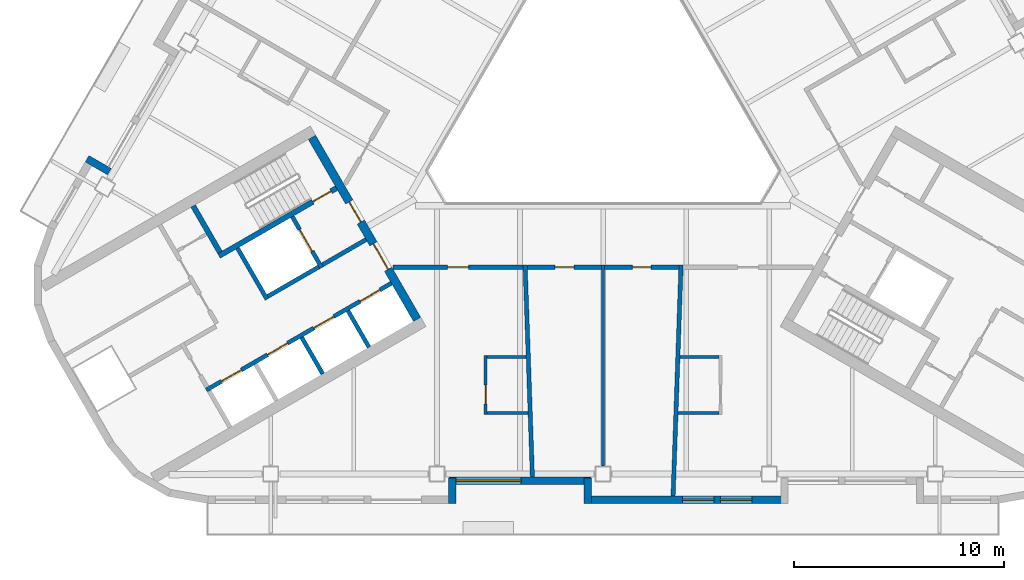
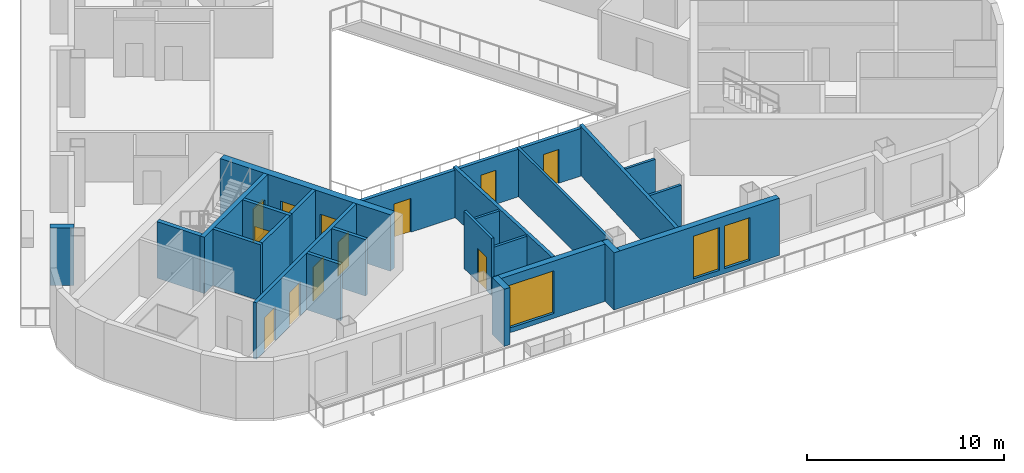
# One storey, part 3 of 13: 26 walls, 12 doors, 3 windows, 15 openings.
"""IFC4 building model written with IfcOpenShell, lengths in metres."""

from ifc_helpers import new_model, si_unit, direction, frame, frame_2d, origin, place, context, subcontext, project, spatial, rectangle, extrude, material, layer, layer_set, type_object, element, fill, save


model = new_model("IFC4")

# Units and contexts
model_context = context("Model", 3, precision=1e-05, world=origin(), true_north=direction((0.0, 1.0)))
body_context = subcontext(model_context, "Body", "Model", "MODEL_VIEW")
ifc_project = project(units=[si_unit("LENGTHUNIT", "METRE"), si_unit("AREAUNIT", "SQUARE_METRE"), si_unit("VOLUMEUNIT", "CUBIC_METRE"), si_unit("PLANEANGLEUNIT", "RADIAN"), si_unit("MASSUNIT", "GRAM", prefix="KILO")], contexts=[model_context])

# Site, building, storey
site_placement = place(None, origin())
site = spatial("IfcSite", under=ifc_project, at=site_placement, CompositionType="ELEMENT")
building_placement = place(site_placement, origin())
building = spatial("IfcBuilding", under=site, at=building_placement, Name="Apuvela Tower Hotel", CompositionType="ELEMENT")
storey_placement = place(building_placement, frame((0.0, 0.0, 187.300048828125)))
storey = spatial("IfcBuildingStorey", under=building, at=storey_placement, Name="L45", CompositionType="ELEMENT", Elevation=187.300048828125)

# Wall, openings, doors
ifc_material_1 = material(Name="Concrete C50/60", Category="concrete")
ifc_layer_1 = layer(ifc_material_1, 0.39990234375)
ifc_layer_set_1 = layer_set([ifc_layer_1], Name="COR-WALL-CORE-400")
wall_type_1 = type_object("IfcWallType", Name="COR-WALL-CORE-400", PredefinedType="SHEAR", material=ifc_layer_set_1)
wall_1_placement = place(storey_placement, frame((-13.844970703125, -2.219970703125, 0.0), z_axis=(0.0, 0.0, 1.0), x_axis=(0.500004234368, -0.866022959057, 0.0)))
wall_1 = element("IfcWall", 1, at=wall_1_placement, inside=storey, type_object=wall_type_1, Name="Core wall SW", PredefinedType="SHEAR", context=body_context, shape_type="SweptSolid", body=[
    extrude(rectangle(XDim=10.0, YDim=0.39990234375, at=frame_2d((5.0, 0.0))), origin(), (0.0, 0.0, 1.0), 3.5),
])
opening_1_placement = place(wall_1_placement, frame((3.550048828125, 0.0, 0.0)))
opening_1 = element("IfcOpeningElement", 2, at=opening_1_placement, cuts=wall_1, Name="Opening W-FD", PredefinedType="OPENING", context=body_context, shape_type="SweptSolid", body=[
    extrude(rectangle(XDim=1.10009765625, YDim=2.10009765625, at=frame_2d((0.550048828125, 1.050048828125))), frame((0.0, 0.2099609375, 0.0), z_axis=(0.0, -1.0, 0.0), x_axis=(1.0, 0.0, 0.0)), (0.0, 0.0, 1.0), 0.419921875),
])
opening_2_placement = place(wall_1_placement, frame((5.85009765625, 0.0, 0.0)))
opening_2 = element("IfcOpeningElement", 3, at=opening_2_placement, cuts=wall_1, Name="Opening W-GD", PredefinedType="OPENING", context=body_context, shape_type="SweptSolid", body=[
    extrude(rectangle(XDim=1.39990234375, YDim=2.10009765625, at=frame_2d((0.699951171875, 1.050048828125))), frame((0.0, 0.2099609375, 0.0), z_axis=(0.0, -1.0, 0.0), x_axis=(1.0, 0.0, 0.0)), (0.0, 0.0, 1.0), 0.419921875),
])
ifc_material_2 = material(Name="Steel fire door, powder coated", Category="steel")
door_type_1 = type_object("IfcDoorType", Name="COR-FD-1100", OperationType="NOTDEFINED", PredefinedType="DOOR", material=ifc_material_2)
door_1_placement = place(opening_1_placement, frame((1.10009765625, 0.0, 0.0), z_axis=(0.0, 0.0, 1.0), x_axis=(-1.0, 0.0, 0.0)))
door_1 = element("IfcDoor", 4, at=door_1_placement, inside=storey, type_object=door_type_1, Name="Firefighting lobby door W-FD", OperationType="SINGLE_SWING_LEFT", OverallHeight=2.10009765625, OverallWidth=1.10009765625, PredefinedType="DOOR", context=body_context, shape_type="SweptSolid", body=[
    extrude(rectangle(XDim=1.10009765625, YDim=2.10009765625, at=frame_2d((0.550048828125, 1.050048828125))), frame((0.0, 0.02490234375, 0.0), z_axis=(0.0, -1.0, 0.0), x_axis=(1.0, 0.0, 0.0)), (0.0, 0.0, 1.0), 0.050048828125),
])
fill(opening_1, door_1)
ifc_material_3 = material(Name="Glazed steel fire door", Category="steel")
door_type_2 = type_object("IfcDoorType", Name="COR-GD-1400", OperationType="DOUBLE_DOOR_SINGLE_SWING", PredefinedType="DOOR", material=ifc_material_3)
door_2_placement = place(opening_2_placement, frame((1.39990234375, 0.0, 0.0), z_axis=(0.0, 0.0, 1.0), x_axis=(-1.0, 0.0, 0.0)))
door_2 = element("IfcDoor", 5, at=door_2_placement, inside=storey, type_object=door_type_2, Name="Lift lobby door W-GD", OperationType="DOUBLE_DOOR_SINGLE_SWING", OverallHeight=2.10009765625, OverallWidth=1.39990234375, PredefinedType="DOOR", context=body_context, shape_type="SweptSolid", body=[
    extrude(rectangle(XDim=1.39990234375, YDim=2.10009765625, at=frame_2d((0.699951171875, 1.050048828125))), frame((0.0, 0.02490234375, 0.0), z_axis=(0.0, -1.0, 0.0), x_axis=(1.0, 0.0, 0.0)), (0.0, 0.0, 1.0), 0.050048828125),
])
fill(opening_2, door_2)

# Wall
ifc_layer_2 = layer(ifc_material_1, 0.199951171875)
ifc_layer_set_2 = layer_set([ifc_layer_2], Name="COR-WALL-SHAFT-200")
wall_type_2 = type_object("IfcWallType", Name="COR-WALL-SHAFT-200", PredefinedType="SHEAR", material=ifc_layer_set_2)
wall_2_placement = place(storey_placement, frame((-17.38134765625, -7.49462890625, 0.0), z_axis=(0.0, 0.0, 1.0), x_axis=(0.500011755427, -0.866018616679, 0.0)))
element("IfcWall", 6, at=wall_2_placement, inside=storey, type_object=wall_type_2, Name="Shaft wall SW", PredefinedType="SHEAR", context=body_context, shape_type="SweptSolid", body=[
    extrude(rectangle(XDim=2.80029296875, YDim=0.199951171875, at=frame_2d((1.400146484375, 0.0))), origin(), (0.0, 0.0, 1.0), 3.5),
])

# Wall, opening, door
wall_3_placement = place(storey_placement, frame((-14.783203125, -5.99462890625, 0.0), z_axis=(0.0, 0.0, 1.0), x_axis=(0.49994636267, -0.866056369097, 0.0)))
wall_3 = element("IfcWall", 7, at=wall_3_placement, inside=storey, type_object=wall_type_2, Name="Shaft wall SW", PredefinedType="SHEAR", context=body_context, shape_type="SweptSolid", body=[
    extrude(rectangle(XDim=2.800048828125, YDim=0.199951171875, at=frame_2d((1.39990234375, 0.0))), origin(), (0.0, 0.0, 1.0), 3.5),
])
opening_3_placement = place(wall_3_placement, frame((0.699951171875, 0.0, 0.0)))
opening_3 = element("IfcOpeningElement", 8, at=opening_3_placement, cuts=wall_3, Name="Opening W-LD-FS2", PredefinedType="OPENING", context=body_context, shape_type="SweptSolid", body=[
    extrude(rectangle(XDim=1.199951171875, YDim=2.10009765625, at=frame_2d((0.60009765625, 1.050048828125))), frame((0.0, 0.10986328125, 0.0), z_axis=(0.0, -1.0, 0.0), x_axis=(1.0, 0.0, 0.0)), (0.0, 0.0, 1.0), 0.219970703125),
])
ifc_material_4 = material(Name="Stainless steel lift landing door", Category="steel")
door_type_3 = type_object("IfcDoorType", Name="COR-LD-1200", OperationType="DOUBLE_DOOR_SLIDING", PredefinedType="DOOR", material=ifc_material_4)
door_3_placement = place(opening_3_placement, origin())
door_3 = element("IfcDoor", 9, at=door_3_placement, inside=storey, type_object=door_type_3, Name="Lift landing door W-LD-FS2", OperationType="DOUBLE_DOOR_SLIDING", OverallHeight=2.10009765625, OverallWidth=1.199951171875, PredefinedType="DOOR", context=body_context, shape_type="SweptSolid", body=[
    extrude(rectangle(XDim=1.199951171875, YDim=2.10009765625, at=frame_2d((0.60009765625, 1.050048828125))), frame((0.0, 0.02490234375, 0.0), z_axis=(0.0, -1.0, 0.0), x_axis=(1.0, 0.0, 0.0)), (0.0, 0.0, 1.0), 0.050048828125),
])
fill(opening_3, door_3)

# Walls
wall_4_placement = place(storey_placement, frame((-13.519775390625, -8.383056640625, 0.0), z_axis=(0.0, 0.0, 1.0), x_axis=(-0.866034573852, -0.49998411664, 0.0)))
element("IfcWall", 10, at=wall_4_placement, inside=storey, type_object=wall_type_2, Name="Shaft wall SW", PredefinedType="SHEAR", context=body_context, shape_type="SweptSolid", body=[
    extrude(rectangle(XDim=2.7998046875, YDim=0.199951171875, at=frame_2d((1.39990234375, 0.0))), origin(), (0.0, 0.0, 1.0), 3.5),
])
wall_5_placement = place(storey_placement, frame((-11.26806640625, -7.0830078125, 0.0), z_axis=(0.0, 0.0, 1.0), x_axis=(-0.866050077142, -0.499957262057, 0.0)))
element("IfcWall", 11, at=wall_5_placement, inside=storey, type_object=wall_type_2, Name="Shaft wall SW", PredefinedType="SHEAR", context=body_context, shape_type="SweptSolid", body=[
    extrude(rectangle(XDim=2.400146484375, YDim=0.199951171875, at=frame_2d((1.2001953125, 0.0))), origin(), (0.0, 0.0, 1.0), 3.5),
])

# Wall, openings, doors
wall_6_placement = place(storey_placement, frame((-10.068115234375, -9.16162109375, 0.0), z_axis=(0.0, 0.0, 1.0), x_axis=(-0.866032725843, -0.499987317609, 0.0)))
wall_6 = element("IfcWall", 12, at=wall_6_placement, inside=storey, type_object=wall_type_2, Name="Shaft wall SW", PredefinedType="SHEAR", context=body_context, shape_type="SweptSolid", body=[
    extrude(rectangle(XDim=10.159912109375, YDim=0.199951171875, at=frame_2d((5.080078125, 0.0))), origin(), (0.0, 0.0, 1.0), 3.5),
])
opening_4_placement = place(wall_6_placement, frame((0.6201171875, 0.0, 0.0)))
opening_4 = element("IfcOpeningElement", 13, at=opening_4_placement, cuts=wall_6, Name="Opening W-LD-MR1", PredefinedType="OPENING", context=body_context, shape_type="SweptSolid", body=[
    extrude(rectangle(XDim=1.10009765625, YDim=2.10009765625, at=frame_2d((0.550048828125, 1.050048828125))), frame((0.0, 0.10986328125, 0.0), z_axis=(0.0, -1.0, 0.0), x_axis=(1.0, 0.0, 0.0)), (0.0, 0.0, 1.0), 0.219970703125),
])
opening_5_placement = place(wall_6_placement, frame((3.159912109375, 0.0, 0.0)))
opening_5 = element("IfcOpeningElement", 14, at=opening_5_placement, cuts=wall_6, Name="Opening W-LD-MR2", PredefinedType="OPENING", context=body_context, shape_type="SweptSolid", body=[
    extrude(rectangle(XDim=1.10009765625, YDim=2.10009765625, at=frame_2d((0.550048828125, 1.050048828125))), frame((0.0, 0.10986328125, 0.0), z_axis=(0.0, -1.0, 0.0), x_axis=(1.0, 0.0, 0.0)), (0.0, 0.0, 1.0), 0.219970703125),
])
opening_6_placement = place(wall_6_placement, frame((5.699951171875, 0.0, 0.0)))
opening_6 = element("IfcOpeningElement", 15, at=opening_6_placement, cuts=wall_6, Name="Opening W-LD-MR3", PredefinedType="OPENING", context=body_context, shape_type="SweptSolid", body=[
    extrude(rectangle(XDim=1.10009765625, YDim=2.10009765625, at=frame_2d((0.550048828125, 1.050048828125))), frame((0.0, 0.10986328125, 0.0), z_axis=(0.0, -1.0, 0.0), x_axis=(1.0, 0.0, 0.0)), (0.0, 0.0, 1.0), 0.219970703125),
])
opening_7_placement = place(wall_6_placement, frame((8.239990234375, 0.0, 0.0)))
opening_7 = element("IfcOpeningElement", 16, at=opening_7_placement, cuts=wall_6, Name="Opening W-LD-MR4", PredefinedType="OPENING", context=body_context, shape_type="SweptSolid", body=[
    extrude(rectangle(XDim=1.10009765625, YDim=2.10009765625, at=frame_2d((0.550048828125, 1.050048828125))), frame((0.0, 0.10986328125, 0.0), z_axis=(0.0, -1.0, 0.0), x_axis=(1.0, 0.0, 0.0)), (0.0, 0.0, 1.0), 0.219970703125),
])
door_type_4 = type_object("IfcDoorType", Name="COR-LD-1100", OperationType="DOUBLE_DOOR_SLIDING", PredefinedType="DOOR", material=ifc_material_4)
door_4_placement = place(opening_4_placement, origin())
door_4 = element("IfcDoor", 17, at=door_4_placement, inside=storey, type_object=door_type_4, Name="Lift landing door W-LD-MR1", OperationType="DOUBLE_DOOR_SLIDING", OverallHeight=2.10009765625, OverallWidth=1.10009765625, PredefinedType="DOOR", context=body_context, shape_type="SweptSolid", body=[
    extrude(rectangle(XDim=1.10009765625, YDim=2.10009765625, at=frame_2d((0.550048828125, 1.050048828125))), frame((0.0, 0.02490234375, 0.0), z_axis=(0.0, -1.0, 0.0), x_axis=(1.0, 0.0, 0.0)), (0.0, 0.0, 1.0), 0.050048828125),
])
fill(opening_4, door_4)
door_5_placement = place(opening_5_placement, origin())
door_5 = element("IfcDoor", 18, at=door_5_placement, inside=storey, type_object=door_type_4, Name="Lift landing door W-LD-MR2", OperationType="DOUBLE_DOOR_SLIDING", OverallHeight=2.10009765625, OverallWidth=1.10009765625, PredefinedType="DOOR", context=body_context, shape_type="SweptSolid", body=[
    extrude(rectangle(XDim=1.10009765625, YDim=2.10009765625, at=frame_2d((0.550048828125, 1.050048828125))), frame((0.0, 0.02490234375, 0.0), z_axis=(0.0, -1.0, 0.0), x_axis=(1.0, 0.0, 0.0)), (0.0, 0.0, 1.0), 0.050048828125),
])
fill(opening_5, door_5)
door_6_placement = place(opening_6_placement, origin())
door_6 = element("IfcDoor", 19, at=door_6_placement, inside=storey, type_object=door_type_4, Name="Lift landing door W-LD-MR3", OperationType="DOUBLE_DOOR_SLIDING", OverallHeight=2.10009765625, OverallWidth=1.10009765625, PredefinedType="DOOR", context=body_context, shape_type="SweptSolid", body=[
    extrude(rectangle(XDim=1.10009765625, YDim=2.10009765625, at=frame_2d((0.550048828125, 1.050048828125))), frame((0.0, 0.02490234375, 0.0), z_axis=(0.0, -1.0, 0.0), x_axis=(1.0, 0.0, 0.0)), (0.0, 0.0, 1.0), 0.050048828125),
])
fill(opening_6, door_6)
door_7_placement = place(opening_7_placement, origin())
door_7 = element("IfcDoor", 20, at=door_7_placement, inside=storey, type_object=door_type_4, Name="Lift landing door W-LD-MR4", OperationType="DOUBLE_DOOR_SLIDING", OverallHeight=2.10009765625, OverallWidth=1.10009765625, PredefinedType="DOOR", context=body_context, shape_type="SweptSolid", body=[
    extrude(rectangle(XDim=1.10009765625, YDim=2.10009765625, at=frame_2d((0.550048828125, 1.050048828125))), frame((0.0, 0.02490234375, 0.0), z_axis=(0.0, -1.0, 0.0), x_axis=(1.0, 0.0, 0.0)), (0.0, 0.0, 1.0), 0.050048828125),
])
fill(opening_7, door_7)

# Walls
for number, where, z_axis, x_axis, name in (
    (21, (-12.131103515625, -10.468017578125, 0.0), (0.0, 0.0, 1.0), (0.499972520799, -0.866041268327, 0.0), "Shaft wall SW"),
    (22, (-14.330810546875, -11.738037109375, 0.0), (0.0, 0.0, 1.0), (0.499972520799, -0.866041268327, 0.0), "Shaft wall SW"),
):
    element("IfcWall", number, at=place(storey_placement, frame(where, z_axis=z_axis, x_axis=x_axis)), inside=storey, type_object=wall_type_2, Name=name, PredefinedType="SHEAR", context=body_context, shape_type="SweptSolid", body=[
        extrude(rectangle(XDim=2.0, YDim=0.199951171875, at=frame_2d((1.0, 0.0))), origin(), (0.0, 0.0, 1.0), 3.5),
    ])

# Wall, opening, door
ifc_layer_3 = layer(ifc_material_1, 0.25)
ifc_layer_set_3 = layer_set([ifc_layer_3], Name="COR-WALL-STAIR-250")
wall_type_3 = type_object("IfcWallType", Name="COR-WALL-STAIR-250", PredefinedType="SHEAR", material=ifc_layer_set_3)
wall_7_placement = place(storey_placement, frame((-12.6806640625, -4.636474609375, 0.0), z_axis=(0.0, 0.0, 1.0), x_axis=(-0.866021702275, -0.500006411147, 0.0)))
wall_7 = element("IfcWall", 23, at=wall_7_placement, inside=storey, type_object=wall_type_3, Name="Stair wall SW", PredefinedType="SHEAR", context=body_context, shape_type="SweptSolid", body=[
    extrude(rectangle(XDim=6.4501953125, YDim=0.25, at=frame_2d((3.22509765625, 0.0))), origin(), (0.0, 0.0, 1.0), 3.5),
])
opening_8_placement = place(wall_7_placement, frame((0.300048828125, 0.0, 0.0)))
opening_8 = element("IfcOpeningElement", 24, at=opening_8_placement, cuts=wall_7, Name="Opening W-SD", PredefinedType="OPENING", context=body_context, shape_type="SweptSolid", body=[
    extrude(rectangle(XDim=1.0, YDim=2.10009765625, at=frame_2d((0.5, 1.050048828125))), frame((0.0, 0.135009765625, 0.0), z_axis=(0.0, -1.0, 0.0), x_axis=(1.0, 0.0, 0.0)), (0.0, 0.0, 1.0), 0.27001953125),
])
door_type_5 = type_object("IfcDoorType", Name="COR-SD-1000", OperationType="NOTDEFINED", PredefinedType="DOOR", material=ifc_material_2)
door_8_placement = place(opening_8_placement, frame((1.0, 0.0, 0.0), z_axis=(0.0, 0.0, 1.0), x_axis=(-1.0, 0.0, 0.0)))
door_8 = element("IfcDoor", 25, at=door_8_placement, inside=storey, type_object=door_type_5, Name="Stair door W-SD", OperationType="SINGLE_SWING_LEFT", OverallHeight=2.10009765625, OverallWidth=1.0, PredefinedType="DOOR", context=body_context, shape_type="SweptSolid", body=[
    extrude(rectangle(XDim=1.0, YDim=2.10009765625, at=frame_2d((0.5, 1.050048828125))), frame((0.0, 0.02490234375, 0.0), z_axis=(0.0, -1.0, 0.0), x_axis=(1.0, 0.0, 0.0)), (0.0, 0.0, 1.0), 0.050048828125),
])
fill(opening_8, door_8)

# Walls
wall_8_placement = place(storey_placement, frame((-19.49560546875, -5.482421875, 0.0), z_axis=(0.0, 0.0, 1.0), x_axis=(0.499990435942, -0.866030925526, 0.0)))
element("IfcWall", 26, at=wall_8_placement, inside=storey, type_object=wall_type_3, Name="Stair wall SW", PredefinedType="SHEAR", context=body_context, shape_type="SweptSolid", body=[
    extrude(rectangle(XDim=2.5498046875, YDim=0.25, at=frame_2d((1.27490234375, 0.0))), origin(), (0.0, 0.0, 1.0), 3.5),
])
ifc_material_5 = material(Name="Concrete C40/50, dark pigmented precast panel", Category="concrete")
ifc_layer_4 = layer(ifc_material_5, 0.35009765625)
ifc_layer_set_4 = layer_set([ifc_layer_4], Name="ENV-WALL-350")
wall_type_4 = type_object("IfcWallType", Name="ENV-WALL-350", PredefinedType="SOLIDWALL", material=ifc_layer_set_4)
for number, where, z_axis, x_axis, name in (
    (27, (-23.48095703125, -3.85009765625, 0.0), (0.0, 0.0, 1.0), (-0.866092288191, 0.499884134912, 0.0), "External wall L45-08"),
    (28, (-7.175048828125, -19.6298828125, 0.0), (0.0, 0.0, 1.0), (0.0, 1.0, 0.0), "External wall L45-18"),
):
    element("IfcWall", number, at=place(storey_placement, frame(where, z_axis=z_axis, x_axis=x_axis)), inside=storey, type_object=wall_type_4, Name=name, PredefinedType="SOLIDWALL", context=body_context, shape_type="SweptSolid", body=[
        extrude(rectangle(XDim=1.219970703125, YDim=0.35009765625, at=frame_2d((0.60986328125, 0.0))), origin(), (0.0, 0.0, 1.0), 3.550048828125),
    ])

# Wall, opening, window
wall_9_placement = place(storey_placement, frame((-7.320068359375, -18.554931640625, 0.0), z_axis=(0.0, 0.0, 1.0), x_axis=(1.0, 0.0, 0.0)))
wall_9 = element("IfcWall", 29, at=wall_9_placement, inside=storey, type_object=wall_type_4, Name="External wall L45-19", PredefinedType="SOLIDWALL", context=body_context, shape_type="SweptSolid", body=[
    extrude(rectangle(XDim=6.739990234375, YDim=0.35009765625, at=frame_2d((3.3701171875, 0.0))), origin(), (0.0, 0.0, 1.0), 3.550048828125),
])
opening_9_placement = place(wall_9_placement, frame((0.3203125, 0.0, 0.300048828125)))
opening_9 = element("IfcOpeningElement", 30, at=opening_9_placement, cuts=wall_9, Name="Opening WN31", PredefinedType="OPENING", context=body_context, shape_type="SweptSolid", body=[
    extrude(rectangle(XDim=3.10009765625, YDim=2.64990234375, at=frame_2d((1.550048828125, 1.324951171875))), frame((0.0, 0.18505859375, 0.0), z_axis=(0.0, -1.0, 0.0), x_axis=(1.0, 0.0, 0.0)), (0.0, 0.0, 1.0), 0.3701171875),
])
ifc_material_6 = material(Name="Glass, dark tinted laminated insulated glazing unit", Category="glass")
window_type_1 = type_object("IfcWindowType", Name="ENV-WIN-3100x2650", PartitioningType="SINGLE_PANEL", PredefinedType="WINDOW", material=ifc_material_6)
window_1_placement = place(opening_9_placement, origin())
window_1 = element("IfcWindow", 31, at=window_1_placement, inside=storey, type_object=window_type_1, Name="Window WN31", OverallHeight=2.64990234375, OverallWidth=3.10009765625, PartitioningType="SINGLE_PANEL", PredefinedType="WINDOW", context=body_context, shape_type="SweptSolid", body=[
    extrude(rectangle(XDim=3.10009765625, YDim=2.64990234375, at=frame_2d((1.550048828125, 1.324951171875))), frame((0.0, 0.030029296875, 0.0), z_axis=(0.0, -1.0, 0.0), x_axis=(1.0, 0.0, 0.0)), (0.0, 0.0, 1.0), 0.06005859375),
])
fill(opening_9, window_1)

# Wall
wall_10_placement = place(storey_placement, frame((-0.72509765625, -18.409912109375, 0.0), z_axis=(0.0, 0.0, 1.0), x_axis=(0.0, -1.0, 0.0)))
element("IfcWall", 32, at=wall_10_placement, inside=storey, type_object=wall_type_4, Name="External wall L45-20", PredefinedType="SOLIDWALL", context=body_context, shape_type="SweptSolid", body=[
    extrude(rectangle(XDim=1.219970703125, YDim=0.35009765625, at=frame_2d((0.60986328125, 0.0))), origin(), (0.0, 0.0, 1.0), 3.550048828125),
])

# Wall, openings, windows
wall_11_placement = place(storey_placement, frame((-0.89990234375, -19.455078125, 0.0), z_axis=(0.0, 0.0, 1.0), x_axis=(1.0, 0.0, 0.0)))
wall_11 = element("IfcWall", 33, at=wall_11_placement, inside=storey, type_object=wall_type_4, Name="External wall L45-21", PredefinedType="SOLIDWALL", context=body_context, shape_type="SweptSolid", body=[
    extrude(rectangle(XDim=9.699951171875, YDim=0.35009765625, at=frame_2d((4.85009765625, 0.0))), origin(), (0.0, 0.0, 1.0), 3.550048828125),
])
opening_10_placement = place(wall_11_placement, frame((4.6796875, 0.0, 0.300048828125)))
opening_10 = element("IfcOpeningElement", 34, at=opening_10_placement, cuts=wall_11, Name="Opening WN15", PredefinedType="OPENING", context=body_context, shape_type="SweptSolid", body=[
    extrude(rectangle(XDim=1.5, YDim=2.64990234375, at=frame_2d((0.75, 1.324951171875))), frame((0.0, 0.18505859375, 0.0), z_axis=(0.0, -1.0, 0.0), x_axis=(1.0, 0.0, 0.0)), (0.0, 0.0, 1.0), 0.3701171875),
])
opening_11_placement = place(wall_11_placement, frame((6.479736328125, 0.0, 0.300048828125)))
opening_11 = element("IfcOpeningElement", 35, at=opening_11_placement, cuts=wall_11, Name="Opening WN15", PredefinedType="OPENING", context=body_context, shape_type="SweptSolid", body=[
    extrude(rectangle(XDim=1.5, YDim=2.64990234375, at=frame_2d((0.75, 1.324951171875))), frame((0.0, 0.18505859375, 0.0), z_axis=(0.0, -1.0, 0.0), x_axis=(1.0, 0.0, 0.0)), (0.0, 0.0, 1.0), 0.3701171875),
])
window_type_2 = type_object("IfcWindowType", Name="ENV-WIN-1500x2650", PartitioningType="SINGLE_PANEL", PredefinedType="WINDOW", material=ifc_material_6)
window_2_placement = place(opening_10_placement, origin())
window_2 = element("IfcWindow", 36, at=window_2_placement, inside=storey, type_object=window_type_2, Name="Window WN15", OverallHeight=2.64990234375, OverallWidth=1.5, PartitioningType="SINGLE_PANEL", PredefinedType="WINDOW", context=body_context, shape_type="SweptSolid", body=[
    extrude(rectangle(XDim=1.5, YDim=2.64990234375, at=frame_2d((0.75, 1.324951171875))), frame((0.0, 0.030029296875, 0.0), z_axis=(0.0, -1.0, 0.0), x_axis=(1.0, 0.0, 0.0)), (0.0, 0.0, 1.0), 0.06005859375),
])
fill(opening_10, window_2)
window_3_placement = place(opening_11_placement, origin())
window_3 = element("IfcWindow", 37, at=window_3_placement, inside=storey, type_object=window_type_2, Name="Window WN15", OverallHeight=2.64990234375, OverallWidth=1.5, PartitioningType="SINGLE_PANEL", PredefinedType="WINDOW", context=body_context, shape_type="SweptSolid", body=[
    extrude(rectangle(XDim=1.5, YDim=2.64990234375, at=frame_2d((0.75, 1.324951171875))), frame((0.0, 0.030029296875, 0.0), z_axis=(0.0, -1.0, 0.0), x_axis=(1.0, 0.0, 0.0)), (0.0, 0.0, 1.0), 0.06005859375),
])
fill(opening_11, window_3)

# Walls
ifc_material_7 = material(Name="Gypsum board partition on twin steel stud", Category="steel")
ifc_layer_5 = layer(ifc_material_7, 0.199951171875)
ifc_layer_set_5 = layer_set([ifc_layer_5], Name="GST-PW1")
wall_type_5 = type_object("IfcWallType", Name="GST-PW1", PredefinedType="PARTITIONING", material=ifc_layer_set_5)
wall_12_placement = place(storey_placement, frame((-3.36083984375, -18.3798828125, 0.0), z_axis=(0.0, 0.0, 1.0), x_axis=(-0.034300534927, 0.999411563523, 0.0)))
element("IfcWall", 38, at=wall_12_placement, inside=storey, type_object=wall_type_5, Name="L45 partition 01", PredefinedType="PARTITIONING", context=body_context, shape_type="SweptSolid", body=[
    extrude(rectangle(XDim=10.085693359375, YDim=0.199951171875, at=frame_2d((5.04296875, 0.0))), origin(), (0.0, 0.0, 1.0), 3.06005859375),
])
wall_13_placement = place(storey_placement, frame((3.330078125, -19.280029296875, 0.0), z_axis=(0.0, 0.0, 1.0), x_axis=(0.034288537327, 0.999411975217, 0.0)))
element("IfcWall", 39, at=wall_13_placement, inside=storey, type_object=wall_type_5, Name="L45 partition 02", PredefinedType="PARTITIONING", context=body_context, shape_type="SweptSolid", body=[
    extrude(rectangle(XDim=10.986328125, YDim=0.199951171875, at=frame_2d((5.4931640625, 0.0))), origin(), (0.0, 0.0, 1.0), 3.06005859375),
])

# Wall, opening, door
ifc_material_8 = material(Name="Gypsum board corridor wall on twin steel stud, acoustic", Category="steel")
ifc_layer_6 = layer(ifc_material_8, 0.199951171875)
ifc_layer_set_6 = layer_set([ifc_layer_6], Name="GST-PW2")
wall_type_6 = type_object("IfcWallType", Name="GST-PW2", PredefinedType="PARTITIONING", material=ifc_layer_set_6)
wall_14_placement = place(storey_placement, frame((-3.803466796875, -8.39990234375, 0.0), z_axis=(0.0, 0.0, 1.0), x_axis=(-1.0, 0.0, 0.0)))
wall_14 = element("IfcWall", 40, at=wall_14_placement, inside=storey, type_object=wall_type_6, Name="L45 partition 07", PredefinedType="PARTITIONING", context=body_context, shape_type="SweptSolid", body=[
    extrude(rectangle(XDim=6.184814453125, YDim=0.199951171875, at=frame_2d((3.09228515625, 0.0))), origin(), (0.0, 0.0, 1.0), 2.949951171875),
])
opening_12_placement = place(wall_14_placement, frame((2.59228515625, 0.0, 0.0)))
opening_12 = element("IfcOpeningElement", 41, at=opening_12_placement, cuts=wall_14, Name="Opening GD17-02", PredefinedType="OPENING", context=body_context, shape_type="SweptSolid", body=[
    extrude(rectangle(XDim=1.0, YDim=2.10009765625, at=frame_2d((0.5, 1.050048828125))), frame((0.0, 0.10986328125, 0.0), z_axis=(0.0, -1.0, 0.0), x_axis=(1.0, 0.0, 0.0)), (0.0, 0.0, 1.0), 0.219970703125),
])
ifc_material_9 = material(Name="Timber door leaf in steel frame", Category="steel")
door_type_6 = type_object("IfcDoorType", Name="GST-D1", OperationType="NOTDEFINED", PredefinedType="DOOR", material=ifc_material_9)
door_9_placement = place(opening_12_placement, origin())
door_9 = element("IfcDoor", 42, at=door_9_placement, inside=storey, type_object=door_type_6, Name="Door L45-02", OperationType="SINGLE_SWING_LEFT", OverallHeight=2.10009765625, OverallWidth=1.0, PredefinedType="DOOR", context=body_context, shape_type="SweptSolid", body=[
    extrude(rectangle(XDim=1.0, YDim=2.10009765625, at=frame_2d((0.5, 1.050048828125))), frame((0.0, 0.02490234375, 0.0), z_axis=(0.0, -1.0, 0.0), x_axis=(1.0, 0.0, 0.0)), (0.0, 0.0, 1.0), 0.050048828125),
])
fill(opening_12, door_9)

wall_15_placement = place(storey_placement, frame((-0.074951171875, -8.39990234375, 0.0), z_axis=(0.0, 0.0, 1.0), x_axis=(-1.0, 0.0, 0.0)))
wall_15 = element("IfcWall", 43, at=wall_15_placement, inside=storey, type_object=wall_type_6, Name="L45 partition 12", PredefinedType="PARTITIONING", context=body_context, shape_type="SweptSolid", body=[
    extrude(rectangle(XDim=3.528564453125, YDim=0.199951171875, at=frame_2d((1.76416015625, 0.0))), origin(), (0.0, 0.0, 1.0), 2.949951171875),
])
opening_13_placement = place(wall_15_placement, frame((1.314208984375, 0.0, 0.0)))
opening_13 = element("IfcOpeningElement", 44, at=opening_13_placement, cuts=wall_15, Name="Opening GD17-03", PredefinedType="OPENING", context=body_context, shape_type="SweptSolid", body=[
    extrude(rectangle(XDim=0.89990234375, YDim=2.10009765625, at=frame_2d((0.449951171875, 1.050048828125))), frame((0.0, 0.10986328125, 0.0), z_axis=(0.0, -1.0, 0.0), x_axis=(1.0, 0.0, 0.0)), (0.0, 0.0, 1.0), 0.219970703125),
])
door_type_7 = type_object("IfcDoorType", Name="GST-D2", OperationType="NOTDEFINED", PredefinedType="DOOR", material=ifc_material_9)
door_10_placement = place(opening_13_placement, origin())
door_10 = element("IfcDoor", 45, at=door_10_placement, inside=storey, type_object=door_type_7, Name="Door L45-03", OperationType="SINGLE_SWING_LEFT", OverallHeight=2.10009765625, OverallWidth=0.89990234375, PredefinedType="DOOR", context=body_context, shape_type="SweptSolid", body=[
    extrude(rectangle(XDim=0.89990234375, YDim=2.10009765625, at=frame_2d((0.449951171875, 1.050048828125))), frame((0.0, 0.02490234375, 0.0), z_axis=(0.0, -1.0, 0.0), x_axis=(1.0, 0.0, 0.0)), (0.0, 0.0, 1.0), 0.050048828125),
])
fill(opening_13, door_10)

wall_16_placement = place(storey_placement, frame((3.603515625, -8.39990234375, 0.0), z_axis=(0.0, 0.0, 1.0), x_axis=(-1.0, 0.0, 0.0)))
wall_16 = element("IfcWall", 46, at=wall_16_placement, inside=storey, type_object=wall_type_6, Name="L45 partition 13", PredefinedType="PARTITIONING", context=body_context, shape_type="SweptSolid", body=[
    extrude(rectangle(XDim=3.528564453125, YDim=0.199951171875, at=frame_2d((1.76416015625, 0.0))), origin(), (0.0, 0.0, 1.0), 2.949951171875),
])
opening_14_placement = place(wall_16_placement, frame((1.314208984375, 0.0, 0.0)))
opening_14 = element("IfcOpeningElement", 47, at=opening_14_placement, cuts=wall_16, Name="Opening GD17-04", PredefinedType="OPENING", context=body_context, shape_type="SweptSolid", body=[
    extrude(rectangle(XDim=0.89990234375, YDim=2.10009765625, at=frame_2d((0.449951171875, 1.050048828125))), frame((0.0, 0.10986328125, 0.0), z_axis=(0.0, -1.0, 0.0), x_axis=(1.0, 0.0, 0.0)), (0.0, 0.0, 1.0), 0.219970703125),
])
door_11_placement = place(opening_14_placement, origin())
door_11 = element("IfcDoor", 48, at=door_11_placement, inside=storey, type_object=door_type_7, Name="Door L45-04", OperationType="SINGLE_SWING_RIGHT", OverallHeight=2.10009765625, OverallWidth=0.89990234375, PredefinedType="DOOR", context=body_context, shape_type="SweptSolid", body=[
    extrude(rectangle(XDim=0.89990234375, YDim=2.10009765625, at=frame_2d((0.449951171875, 1.050048828125))), frame((0.0, 0.02490234375, 0.0), z_axis=(0.0, -1.0, 0.0), x_axis=(1.0, 0.0, 0.0)), (0.0, 0.0, 1.0), 0.050048828125),
])
fill(opening_14, door_11)

ifc_material_10 = material(Name="Moisture-resistant gypsum board wet wall on steel stud", Category="steel")
ifc_layer_7 = layer(ifc_material_10, 0.14990234375)
ifc_layer_set_7 = layer_set([ifc_layer_7], Name="GST-PW3")
wall_type_7 = type_object("IfcWallType", Name="GST-PW3", PredefinedType="PARTITIONING", material=ifc_layer_set_7)
wall_17_placement = place(storey_placement, frame((-5.584228515625, -12.60009765625, 0.0), z_axis=(0.0, 0.0, 1.0), x_axis=(0.0, -1.0, 0.0)))
wall_17 = element("IfcWall", 49, at=wall_17_placement, inside=storey, type_object=wall_type_7, Name="L45 partition 08", PredefinedType="PARTITIONING", context=body_context, shape_type="SweptSolid", body=[
    extrude(rectangle(XDim=2.7998046875, YDim=0.14990234375, at=frame_2d((1.39990234375, 0.0))), origin(), (0.0, 0.0, 1.0), 3.550048828125),
])
opening_15_placement = place(wall_17_placement, frame((1.39990234375, 0.0, 0.0)))
opening_15 = element("IfcOpeningElement", 50, at=opening_15_placement, cuts=wall_17, Name="Opening GD17-01", PredefinedType="OPENING", context=body_context, shape_type="SweptSolid", body=[
    extrude(rectangle(XDim=0.89990234375, YDim=2.10009765625, at=frame_2d((0.449951171875, 1.050048828125))), frame((0.0, 0.0849609375, 0.0), z_axis=(0.0, -1.0, 0.0), x_axis=(1.0, 0.0, 0.0)), (0.0, 0.0, 1.0), 0.169921875),
])
door_12_placement = place(opening_15_placement, origin())
door_12 = element("IfcDoor", 51, at=door_12_placement, inside=storey, type_object=door_type_7, Name="Door L45-01", OperationType="SINGLE_SWING_RIGHT", OverallHeight=2.10009765625, OverallWidth=0.89990234375, PredefinedType="DOOR", context=body_context, shape_type="SweptSolid", body=[
    extrude(rectangle(XDim=0.89990234375, YDim=2.10009765625, at=frame_2d((0.449951171875, 1.050048828125))), frame((0.0, 0.02490234375, 0.0), z_axis=(0.0, -1.0, 0.0), x_axis=(1.0, 0.0, 0.0)), (0.0, 0.0, 1.0), 0.050048828125),
])
fill(opening_15, door_12)

# Walls
wall_18_placement = place(storey_placement, frame((-5.50927734375, -15.324951171875, 0.0), z_axis=(0.0, 0.0, 1.0), x_axis=(1.0, 0.0, 0.0)))
element("IfcWall", 52, at=wall_18_placement, inside=storey, type_object=wall_type_7, Name="L45 partition 09", PredefinedType="PARTITIONING", context=body_context, shape_type="SweptSolid", body=[
    extrude(rectangle(XDim=1.943359375, YDim=0.14990234375, at=frame_2d((0.9716796875, 0.0))), origin(), (0.0, 0.0, 1.0), 2.949951171875),
])
wall_19_placement = place(storey_placement, frame((-5.50927734375, -12.675048828125, 0.0), z_axis=(0.0, 0.0, 1.0), x_axis=(1.0, 0.0, 0.0)))
element("IfcWall", 53, at=wall_19_placement, inside=storey, type_object=wall_type_7, Name="L45 partition 10", PredefinedType="PARTITIONING", context=body_context, shape_type="SweptSolid", body=[
    extrude(rectangle(XDim=1.8525390625, YDim=0.14990234375, at=frame_2d((0.92626953125, 0.0))), origin(), (0.0, 0.0, 1.0), 2.949951171875),
])
wall_20_placement = place(storey_placement, frame((0.0, -17.85498046875, 0.0), z_axis=(0.0, 0.0, 1.0), x_axis=(0.0, 1.0, 0.0)))
element("IfcWall", 54, at=wall_20_placement, inside=storey, type_object=wall_type_7, Name="L45 partition 11", PredefinedType="PARTITIONING", context=body_context, shape_type="SweptSolid", body=[
    extrude(rectangle(XDim=9.554931640625, YDim=0.14990234375, at=frame_2d((4.77734375, 0.0))), origin(), (0.0, 0.0, 1.0), 2.949951171875),
])
wall_21_placement = place(storey_placement, frame((3.56591796875, -15.324951171875, 0.0), z_axis=(0.0, 0.0, 1.0), x_axis=(1.0, 0.0, 0.0)))
element("IfcWall", 55, at=wall_21_placement, inside=storey, type_object=wall_type_7, Name="L45 partition 16", PredefinedType="PARTITIONING", context=body_context, shape_type="SweptSolid", body=[
    extrude(rectangle(XDim=1.943359375, YDim=0.14990234375, at=frame_2d((0.9716796875, 0.0))), origin(), (0.0, 0.0, 1.0), 2.949951171875),
])
wall_22_placement = place(storey_placement, frame((3.65673828125, -12.675048828125, 0.0), z_axis=(0.0, 0.0, 1.0), x_axis=(1.0, 0.0, 0.0)))
element("IfcWall", 56, at=wall_22_placement, inside=storey, type_object=wall_type_7, Name="L45 partition 17", PredefinedType="PARTITIONING", context=body_context, shape_type="SweptSolid", body=[
    extrude(rectangle(XDim=1.8525390625, YDim=0.14990234375, at=frame_2d((0.92626953125, 0.0))), origin(), (0.0, 0.0, 1.0), 2.949951171875),
])

save(model, "model.ifc")
